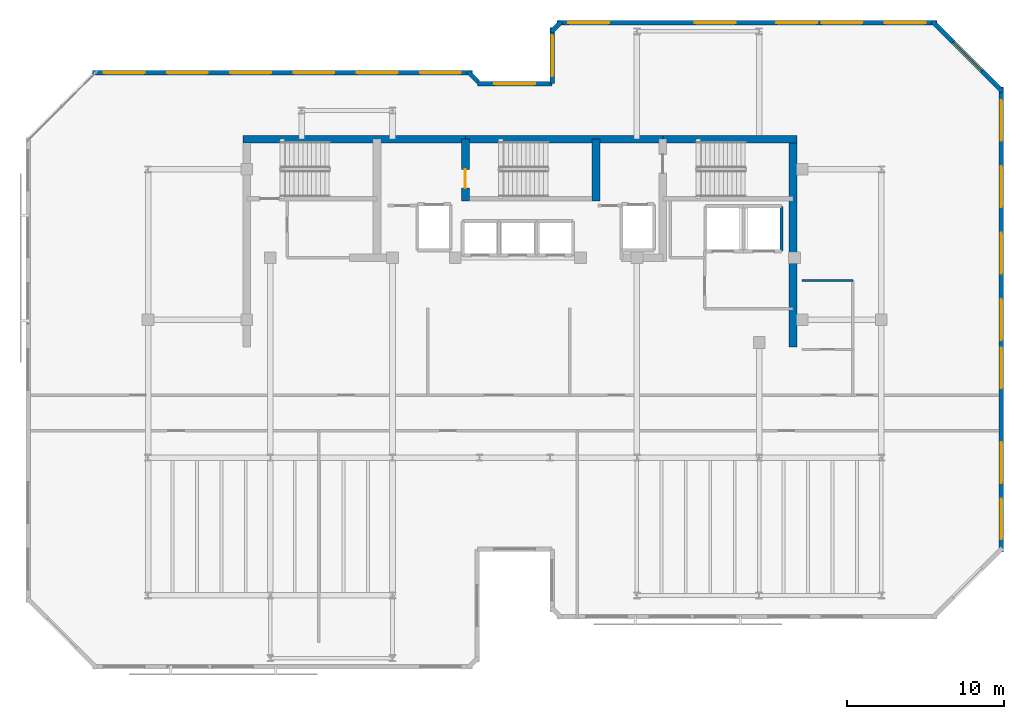
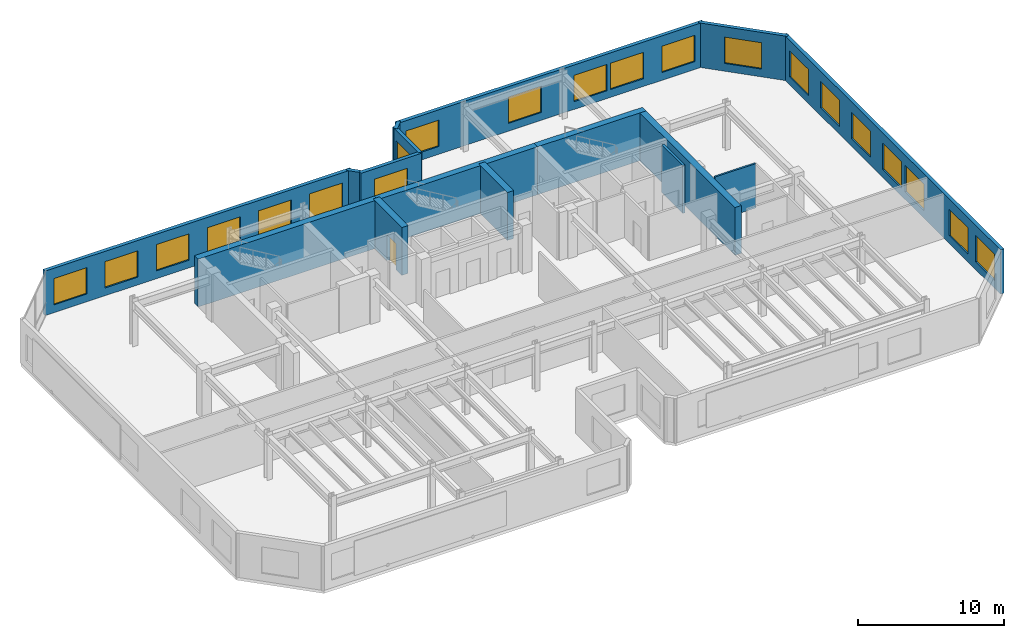
# One storey, part 6 of 9: 21 windows, 16 walls, 1 door, 22 openings.
"""IFC4 building model written with IfcOpenShell, lengths in metres."""

from ifc_helpers import new_model, si_unit, direction, frame, frame_2d, origin, place, context, subcontext, project, spatial, rectangle, extrude, material, layer, layer_set, type_object, element, fill, save


model = new_model("IFC4")

# Units and contexts
model_context = context("Model", 3, precision=1e-05, world=origin(), true_north=direction((0.0, 1.0)))
body_context = subcontext(model_context, "Body", "Model", "MODEL_VIEW")
ifc_project = project(units=[si_unit("LENGTHUNIT", "METRE"), si_unit("AREAUNIT", "SQUARE_METRE"), si_unit("VOLUMEUNIT", "CUBIC_METRE"), si_unit("PLANEANGLEUNIT", "RADIAN"), si_unit("MASSUNIT", "GRAM", prefix="KILO")], contexts=[model_context])

# Site, building, storey
site_placement = place(None, origin())
site = spatial("IfcSite", under=ifc_project, at=site_placement, CompositionType="ELEMENT")
building_placement = place(site_placement, origin())
building = spatial("IfcBuilding", under=site, at=building_placement, Name="Kestravale Grand Hotel", CompositionType="ELEMENT")
storey_placement = place(building_placement, frame((0.0, 0.0, 293.39990234375)))
storey = spatial("IfcBuildingStorey", under=building, at=storey_placement, Name="L73", CompositionType="ELEMENT", Elevation=293.39990234375)

# Walls
ifc_material_1 = material(Name="Concrete f'c 50 MPa", Category="concrete")
ifc_layer_1 = layer(ifc_material_1, 0.5)
ifc_layer_set_1 = layer_set([ifc_layer_1], Name="EW-CORE-500")
wall_type_1 = type_object("IfcWallType", Name="EW-CORE-500", PredefinedType="SHEAR", material=ifc_layer_set_1)
wall_1_placement = place(storey_placement, frame((21.64990234375, 40.320068359375, 0.0), z_axis=(0.0, 0.0, 1.0), x_axis=(1.0, 0.0, 0.0)))
element("IfcWall", 1, at=wall_1_placement, inside=storey, type_object=wall_type_1, Name="L73 core shear wall N1", PredefinedType="SHEAR", context=body_context, shape_type="SweptSolid", body=[
    extrude(rectangle(XDim=14.2001953125, YDim=0.5, at=frame_2d((7.10009765625, 0.0))), origin(), (0.0, 0.0, 1.0), 4.0),
])
wall_2_placement = place(storey_placement, frame((35.85009765625, 40.320068359375, 0.0), z_axis=(0.0, 0.0, 1.0), x_axis=(1.0, 0.0, 0.0)))
element("IfcWall", 2, at=wall_2_placement, inside=storey, type_object=wall_type_1, Name="L73 core shear wall N2", PredefinedType="SHEAR", context=body_context, shape_type="SweptSolid", body=[
    extrude(rectangle(XDim=12.599853515625, YDim=0.5, at=frame_2d((6.2998046875, 0.0))), origin(), (0.0, 0.0, 1.0), 4.0),
])
wall_3_placement = place(storey_placement, frame((48.449951171875, 40.320068359375, 0.0), z_axis=(0.0, 0.0, 1.0), x_axis=(1.0, 0.0, 0.0)))
element("IfcWall", 3, at=wall_3_placement, inside=storey, type_object=wall_type_1, Name="L73 core shear wall N3", PredefinedType="SHEAR", context=body_context, shape_type="SweptSolid", body=[
    extrude(rectangle(XDim=8.570068359375, YDim=0.5, at=frame_2d((4.28515625, 0.0))), origin(), (0.0, 0.0, 1.0), 4.0),
])
wall_4_placement = place(storey_placement, frame((56.77001953125, 27.050048828125, 0.0), z_axis=(0.0, 0.0, 1.0), x_axis=(0.0, 1.0, 0.0)))
element("IfcWall", 4, at=wall_4_placement, inside=storey, type_object=wall_type_1, Name="L73 core shear wall E1", PredefinedType="SHEAR", context=body_context, shape_type="SweptSolid", body=[
    extrude(rectangle(XDim=13.52001953125, YDim=0.5, at=frame_2d((6.760009765625, 0.0))), origin(), (0.0, 0.0, 1.0), 4.0),
])

# Wall, opening, door
wall_5_placement = place(storey_placement, frame((35.85009765625, 36.3701171875, 0.0), z_axis=(0.0, 0.0, 1.0), x_axis=(0.0, 1.0, 0.0)))
wall_5 = element("IfcWall", 5, at=wall_5_placement, inside=storey, type_object=wall_type_1, Name="L73 core shear wall X2", PredefinedType="SHEAR", context=body_context, shape_type="SweptSolid", body=[
    extrude(rectangle(XDim=3.949951171875, YDim=0.5, at=frame_2d((1.97509765625, 0.0))), origin(), (0.0, 0.0, 1.0), 4.0),
])
opening_1_placement = place(wall_5_placement, frame((0.830078125, 0.0, 0.0)))
opening_1 = element("IfcOpeningElement", 6, at=opening_1_placement, cuts=wall_5, Name="Opening D-ST-1200", PredefinedType="OPENING", context=body_context, shape_type="SweptSolid", body=[
    extrude(rectangle(XDim=1.199951171875, YDim=2.14990234375, at=frame_2d((0.60009765625, 1.074951171875))), frame((0.0, 0.260009765625, 0.0), z_axis=(0.0, -1.0, 0.0), x_axis=(1.0, 0.0, 0.0)), (0.0, 0.0, 1.0), 0.52001953125),
])
ifc_material_2 = material(Name="Galvanised 90-minute fire-rated steel stair door, wide leaf", Category="steel")
door_type = type_object("IfcDoorType", Name="D-ST-1200", OperationType="NOTDEFINED", PredefinedType="DOOR", material=ifc_material_2)
door_placement = place(opening_1_placement, origin())
door = element("IfcDoor", 7, at=door_placement, inside=storey, type_object=door_type, Name="L73 Stair ST-2 FSAE fire door", OperationType="SINGLE_SWING_RIGHT", OverallHeight=2.14990234375, OverallWidth=1.199951171875, PredefinedType="DOOR", context=body_context, shape_type="SweptSolid", body=[
    extrude(rectangle(XDim=1.199951171875, YDim=2.14990234375, at=frame_2d((0.60009765625, 1.074951171875))), frame((0.0, 0.02490234375, 0.0), z_axis=(0.0, -1.0, 0.0), x_axis=(1.0, 0.0, 0.0)), (0.0, 0.0, 1.0), 0.050048828125),
])
fill(opening_1, door)

# Wall
wall_6_placement = place(storey_placement, frame((44.179931640625, 36.3701171875, 0.0), z_axis=(0.0, 0.0, 1.0), x_axis=(0.0, 1.0, 0.0)))
element("IfcWall", 8, at=wall_6_placement, inside=storey, type_object=wall_type_1, Name="L73 core shear wall X3", PredefinedType="SHEAR", context=body_context, shape_type="SweptSolid", body=[
    extrude(rectangle(XDim=3.949951171875, YDim=0.5, at=frame_2d((1.97509765625, 0.0))), origin(), (0.0, 0.0, 1.0), 4.0),
])

# Wall, openings, windows
ifc_material_3 = material(Name="Precast concrete f'c 45 MPa", Category="concrete")
ifc_layer_2 = layer(ifc_material_3, 0.280029296875)
ifc_layer_set_2 = layer_set([ifc_layer_2], Name="EW-PREC-280")
wall_type_2 = type_object("IfcWallType", Name="EW-PREC-280", PredefinedType="SOLIDWALL", material=ifc_layer_set_2)
wall_7_placement = place(storey_placement, frame((70.06005859375, 13.9599609375, 0.0), z_axis=(0.0, 0.0, 1.0), x_axis=(0.0, 1.0, 0.0)))
wall_7 = element("IfcWall", 9, at=wall_7_placement, inside=storey, type_object=wall_type_2, Name="L73 fluted precast facade wall 9", PredefinedType="SOLIDWALL", context=body_context, shape_type="SweptSolid", body=[
    extrude(rectangle(XDim=29.679931640625, YDim=0.280029296875, at=frame_2d((14.83984375, 0.0))), origin(), (0.0, 0.0, 1.0), 3.710205078125),
])
opening_2_placement = place(wall_7_placement, frame((0.820068359375, 0.0, 0.64990234375)))
opening_2 = element("IfcOpeningElement", 10, at=opening_2_placement, cuts=wall_7, Name="Opening W-SKY-2600", PredefinedType="OPENING", context=body_context, shape_type="SweptSolid", body=[
    extrude(rectangle(XDim=2.60009765625, YDim=2.199951171875, at=frame_2d((1.300048828125, 1.10009765625))), frame((0.0, 0.14990234375, 0.0), z_axis=(0.0, -1.0, 0.0), x_axis=(1.0, 0.0, 0.0)), (0.0, 0.0, 1.0), 0.300048828125),
])
opening_3_placement = place(wall_7_placement, frame((4.409912109375, 0.0, 0.64990234375)))
opening_3 = element("IfcOpeningElement", 11, at=opening_3_placement, cuts=wall_7, Name="Opening W-SKY-2600", PredefinedType="OPENING", context=body_context, shape_type="SweptSolid", body=[
    extrude(rectangle(XDim=2.60009765625, YDim=2.199951171875, at=frame_2d((1.300048828125, 1.10009765625))), frame((0.0, 0.14990234375, 0.0), z_axis=(0.0, -1.0, 0.0), x_axis=(1.0, 0.0, 0.0)), (0.0, 0.0, 1.0), 0.300048828125),
])
opening_4_placement = place(wall_7_placement, frame((10.449951171875, 0.0, 0.64990234375)))
opening_4 = element("IfcOpeningElement", 12, at=opening_4_placement, cuts=wall_7, Name="Opening W-SKY-2600", PredefinedType="OPENING", context=body_context, shape_type="SweptSolid", body=[
    extrude(rectangle(XDim=2.60009765625, YDim=2.199951171875, at=frame_2d((1.300048828125, 1.10009765625))), frame((0.0, 0.14990234375, 0.0), z_axis=(0.0, -1.0, 0.0), x_axis=(1.0, 0.0, 0.0)), (0.0, 0.0, 1.0), 0.300048828125),
])
opening_5_placement = place(wall_7_placement, frame((13.5400390625, 0.0, 0.64990234375)))
opening_5 = element("IfcOpeningElement", 13, at=opening_5_placement, cuts=wall_7, Name="Opening W-SKY-2600", PredefinedType="OPENING", context=body_context, shape_type="SweptSolid", body=[
    extrude(rectangle(XDim=2.60009765625, YDim=2.199951171875, at=frame_2d((1.300048828125, 1.10009765625))), frame((0.0, 0.14990234375, 0.0), z_axis=(0.0, -1.0, 0.0), x_axis=(1.0, 0.0, 0.0)), (0.0, 0.0, 1.0), 0.300048828125),
])
opening_6_placement = place(wall_7_placement, frame((17.780029296875, 0.0, 0.64990234375)))
opening_6 = element("IfcOpeningElement", 14, at=opening_6_placement, cuts=wall_7, Name="Opening W-SKY-2600", PredefinedType="OPENING", context=body_context, shape_type="SweptSolid", body=[
    extrude(rectangle(XDim=2.60009765625, YDim=2.199951171875, at=frame_2d((1.300048828125, 1.10009765625))), frame((0.0, 0.14990234375, 0.0), z_axis=(0.0, -1.0, 0.0), x_axis=(1.0, 0.0, 0.0)), (0.0, 0.0, 1.0), 0.300048828125),
])
opening_7_placement = place(wall_7_placement, frame((22.02001953125, 0.0, 0.64990234375)))
opening_7 = element("IfcOpeningElement", 15, at=opening_7_placement, cuts=wall_7, Name="Opening W-SKY-2600", PredefinedType="OPENING", context=body_context, shape_type="SweptSolid", body=[
    extrude(rectangle(XDim=2.60009765625, YDim=2.199951171875, at=frame_2d((1.300048828125, 1.10009765625))), frame((0.0, 0.14990234375, 0.0), z_axis=(0.0, -1.0, 0.0), x_axis=(1.0, 0.0, 0.0)), (0.0, 0.0, 1.0), 0.300048828125),
])
opening_8_placement = place(wall_7_placement, frame((26.260009765625, 0.0, 0.64990234375)))
opening_8 = element("IfcOpeningElement", 16, at=opening_8_placement, cuts=wall_7, Name="Opening W-SKY-2600", PredefinedType="OPENING", context=body_context, shape_type="SweptSolid", body=[
    extrude(rectangle(XDim=2.60009765625, YDim=2.199951171875, at=frame_2d((1.300048828125, 1.10009765625))), frame((0.0, 0.14990234375, 0.0), z_axis=(0.0, -1.0, 0.0), x_axis=(1.0, 0.0, 0.0)), (0.0, 0.0, 1.0), 0.300048828125),
])
ifc_material_4 = material(Name="Insulated low-E double glazing in aluminium frame", Category="aluminium")
window_type = type_object("IfcWindowType", Name="W-SKY-2600", PartitioningType="TRIPLE_PANEL_VERTICAL", PredefinedType="WINDOW", material=ifc_material_4)
window_1_placement = place(opening_2_placement, origin())
window_1 = element("IfcWindow", 17, at=window_1_placement, inside=storey, type_object=window_type, Name="L73 exterior window 9.1", OverallHeight=2.199951171875, OverallWidth=2.60009765625, PartitioningType="SINGLE_PANEL", PredefinedType="WINDOW", context=body_context, shape_type="SweptSolid", body=[
    extrude(rectangle(XDim=2.60009765625, YDim=2.199951171875, at=frame_2d((1.300048828125, 1.10009765625))), frame((0.0, 0.030029296875, 0.0), z_axis=(0.0, -1.0, 0.0), x_axis=(1.0, 0.0, 0.0)), (0.0, 0.0, 1.0), 0.06005859375),
])
fill(opening_2, window_1)
window_2_placement = place(opening_3_placement, origin())
window_2 = element("IfcWindow", 18, at=window_2_placement, inside=storey, type_object=window_type, Name="L73 exterior window 9.2", OverallHeight=2.199951171875, OverallWidth=2.60009765625, PartitioningType="SINGLE_PANEL", PredefinedType="WINDOW", context=body_context, shape_type="SweptSolid", body=[
    extrude(rectangle(XDim=2.60009765625, YDim=2.199951171875, at=frame_2d((1.300048828125, 1.10009765625))), frame((0.0, 0.030029296875, 0.0), z_axis=(0.0, -1.0, 0.0), x_axis=(1.0, 0.0, 0.0)), (0.0, 0.0, 1.0), 0.06005859375),
])
fill(opening_3, window_2)
window_3_placement = place(opening_4_placement, origin())
window_3 = element("IfcWindow", 19, at=window_3_placement, inside=storey, type_object=window_type, Name="L73 exterior window 9.3", OverallHeight=2.199951171875, OverallWidth=2.60009765625, PartitioningType="SINGLE_PANEL", PredefinedType="WINDOW", context=body_context, shape_type="SweptSolid", body=[
    extrude(rectangle(XDim=2.60009765625, YDim=2.199951171875, at=frame_2d((1.300048828125, 1.10009765625))), frame((0.0, 0.030029296875, 0.0), z_axis=(0.0, -1.0, 0.0), x_axis=(1.0, 0.0, 0.0)), (0.0, 0.0, 1.0), 0.06005859375),
])
fill(opening_4, window_3)
window_4_placement = place(opening_5_placement, origin())
window_4 = element("IfcWindow", 20, at=window_4_placement, inside=storey, type_object=window_type, Name="L73 exterior window 9.4", OverallHeight=2.199951171875, OverallWidth=2.60009765625, PartitioningType="SINGLE_PANEL", PredefinedType="WINDOW", context=body_context, shape_type="SweptSolid", body=[
    extrude(rectangle(XDim=2.60009765625, YDim=2.199951171875, at=frame_2d((1.300048828125, 1.10009765625))), frame((0.0, 0.030029296875, 0.0), z_axis=(0.0, -1.0, 0.0), x_axis=(1.0, 0.0, 0.0)), (0.0, 0.0, 1.0), 0.06005859375),
])
fill(opening_5, window_4)
window_5_placement = place(opening_6_placement, origin())
window_5 = element("IfcWindow", 21, at=window_5_placement, inside=storey, type_object=window_type, Name="L73 exterior window 9.5", OverallHeight=2.199951171875, OverallWidth=2.60009765625, PartitioningType="SINGLE_PANEL", PredefinedType="WINDOW", context=body_context, shape_type="SweptSolid", body=[
    extrude(rectangle(XDim=2.60009765625, YDim=2.199951171875, at=frame_2d((1.300048828125, 1.10009765625))), frame((0.0, 0.030029296875, 0.0), z_axis=(0.0, -1.0, 0.0), x_axis=(1.0, 0.0, 0.0)), (0.0, 0.0, 1.0), 0.06005859375),
])
fill(opening_6, window_5)
window_6_placement = place(opening_7_placement, origin())
window_6 = element("IfcWindow", 22, at=window_6_placement, inside=storey, type_object=window_type, Name="L73 exterior window 9.6", OverallHeight=2.199951171875, OverallWidth=2.60009765625, PartitioningType="SINGLE_PANEL", PredefinedType="WINDOW", context=body_context, shape_type="SweptSolid", body=[
    extrude(rectangle(XDim=2.60009765625, YDim=2.199951171875, at=frame_2d((1.300048828125, 1.10009765625))), frame((0.0, 0.030029296875, 0.0), z_axis=(0.0, -1.0, 0.0), x_axis=(1.0, 0.0, 0.0)), (0.0, 0.0, 1.0), 0.06005859375),
])
fill(opening_7, window_6)
window_7_placement = place(opening_8_placement, origin())
window_7 = element("IfcWindow", 23, at=window_7_placement, inside=storey, type_object=window_type, Name="L73 exterior window 9.7", OverallHeight=2.199951171875, OverallWidth=2.60009765625, PartitioningType="SINGLE_PANEL", PredefinedType="WINDOW", context=body_context, shape_type="SweptSolid", body=[
    extrude(rectangle(XDim=2.60009765625, YDim=2.199951171875, at=frame_2d((1.300048828125, 1.10009765625))), frame((0.0, 0.030029296875, 0.0), z_axis=(0.0, -1.0, 0.0), x_axis=(1.0, 0.0, 0.0)), (0.0, 0.0, 1.0), 0.06005859375),
])
fill(opening_8, window_7)

# Wall, opening, window
wall_8_placement = place(storey_placement, frame((70.12939453125, 43.372802734375, 0.0), z_axis=(0.0, 0.0, 1.0), x_axis=(-0.707126148934, 0.707087412908, 0.0)))
wall_8 = element("IfcWall", 24, at=wall_8_placement, inside=storey, type_object=wall_type_2, Name="L73 fluted precast facade wall 10", PredefinedType="SOLIDWALL", context=body_context, shape_type="SweptSolid", body=[
    extrude(rectangle(XDim=6.302734375, YDim=0.280029296875, at=frame_2d((3.1513671875, 0.0))), origin(), (0.0, 0.0, 1.0), 3.710205078125),
])
opening_9_placement = place(wall_8_placement, frame((1.851318359375, 0.0, 0.64990234375)))
opening_9 = element("IfcOpeningElement", 25, at=opening_9_placement, cuts=wall_8, Name="Opening W-SKY-2600", PredefinedType="OPENING", context=body_context, shape_type="SweptSolid", body=[
    extrude(rectangle(XDim=2.60009765625, YDim=2.199951171875, at=frame_2d((1.300048828125, 1.10009765625))), frame((0.0, 0.14990234375, 0.0), z_axis=(0.0, -1.0, 0.0), x_axis=(1.0, 0.0, 0.0)), (0.0, 0.0, 1.0), 0.300048828125),
])
window_8_placement = place(opening_9_placement, origin())
window_8 = element("IfcWindow", 26, at=window_8_placement, inside=storey, type_object=window_type, Name="L73 exterior window 10.1", OverallHeight=2.199951171875, OverallWidth=2.60009765625, PartitioningType="SINGLE_PANEL", PredefinedType="WINDOW", context=body_context, shape_type="SweptSolid", body=[
    extrude(rectangle(XDim=2.60009765625, YDim=2.199951171875, at=frame_2d((1.300048828125, 1.10009765625))), frame((0.0, 0.030029296875, 0.0), z_axis=(0.0, -1.0, 0.0), x_axis=(1.0, 0.0, 0.0)), (0.0, 0.0, 1.0), 0.06005859375),
])
fill(opening_9, window_8)

# Wall, openings, windows
wall_9_placement = place(storey_placement, frame((65.93994140625, 47.760009765625, 0.0), z_axis=(0.0, 0.0, 1.0), x_axis=(-1.0, 0.0, 0.0)))
wall_9 = element("IfcWall", 27, at=wall_9_placement, inside=storey, type_object=wall_type_2, Name="L73 fluted precast facade wall 11", PredefinedType="SOLIDWALL", context=body_context, shape_type="SweptSolid", body=[
    extrude(rectangle(XDim=24.22998046875, YDim=0.280029296875, at=frame_2d((12.114990234375, 0.0))), origin(), (0.0, 0.0, 1.0), 3.710205078125),
])
opening_10_placement = place(wall_9_placement, frame((0.71923828125, 0.0, 0.64990234375)))
opening_10 = element("IfcOpeningElement", 28, at=opening_10_placement, cuts=wall_9, Name="Opening W-SKY-2600", PredefinedType="OPENING", context=body_context, shape_type="SweptSolid", body=[
    extrude(rectangle(XDim=2.60009765625, YDim=2.199951171875, at=frame_2d((1.300048828125, 1.10009765625))), frame((0.0, 0.14990234375, 0.0), z_axis=(0.0, -1.0, 0.0), x_axis=(1.0, 0.0, 0.0)), (0.0, 0.0, 1.0), 0.300048828125),
])
opening_11_placement = place(wall_9_placement, frame((4.757568359375, 0.0, 0.64990234375)))
opening_11 = element("IfcOpeningElement", 29, at=opening_11_placement, cuts=wall_9, Name="Opening W-SKY-2600", PredefinedType="OPENING", context=body_context, shape_type="SweptSolid", body=[
    extrude(rectangle(XDim=2.60009765625, YDim=2.199951171875, at=frame_2d((1.300048828125, 1.10009765625))), frame((0.0, 0.14990234375, 0.0), z_axis=(0.0, -1.0, 0.0), x_axis=(1.0, 0.0, 0.0)), (0.0, 0.0, 1.0), 0.300048828125),
])
opening_12_placement = place(wall_9_placement, frame((7.645751953125, 0.0, 0.64990234375)))
opening_12 = element("IfcOpeningElement", 30, at=opening_12_placement, cuts=wall_9, Name="Opening W-SKY-2600", PredefinedType="OPENING", context=body_context, shape_type="SweptSolid", body=[
    extrude(rectangle(XDim=2.60009765625, YDim=2.199951171875, at=frame_2d((1.300048828125, 1.10009765625))), frame((0.0, 0.14990234375, 0.0), z_axis=(0.0, -1.0, 0.0), x_axis=(1.0, 0.0, 0.0)), (0.0, 0.0, 1.0), 0.300048828125),
])
opening_13_placement = place(wall_9_placement, frame((12.834228515625, 0.0, 0.64990234375)))
opening_13 = element("IfcOpeningElement", 31, at=opening_13_placement, cuts=wall_9, Name="Opening W-SKY-2600", PredefinedType="OPENING", context=body_context, shape_type="SweptSolid", body=[
    extrude(rectangle(XDim=2.60009765625, YDim=2.199951171875, at=frame_2d((1.300048828125, 1.10009765625))), frame((0.0, 0.14990234375, 0.0), z_axis=(0.0, -1.0, 0.0), x_axis=(1.0, 0.0, 0.0)), (0.0, 0.0, 1.0), 0.300048828125),
])
opening_14_placement = place(wall_9_placement, frame((20.910888671875, 0.0, 0.64990234375)))
opening_14 = element("IfcOpeningElement", 32, at=opening_14_placement, cuts=wall_9, Name="Opening W-SKY-2600", PredefinedType="OPENING", context=body_context, shape_type="SweptSolid", body=[
    extrude(rectangle(XDim=2.60009765625, YDim=2.199951171875, at=frame_2d((1.300048828125, 1.10009765625))), frame((0.0, 0.14990234375, 0.0), z_axis=(0.0, -1.0, 0.0), x_axis=(1.0, 0.0, 0.0)), (0.0, 0.0, 1.0), 0.300048828125),
])
window_9_placement = place(opening_10_placement, origin())
window_9 = element("IfcWindow", 33, at=window_9_placement, inside=storey, type_object=window_type, Name="L73 exterior window 11.1", OverallHeight=2.199951171875, OverallWidth=2.60009765625, PartitioningType="SINGLE_PANEL", PredefinedType="WINDOW", context=body_context, shape_type="SweptSolid", body=[
    extrude(rectangle(XDim=2.60009765625, YDim=2.199951171875, at=frame_2d((1.300048828125, 1.10009765625))), frame((0.0, 0.030029296875, 0.0), z_axis=(0.0, -1.0, 0.0), x_axis=(1.0, 0.0, 0.0)), (0.0, 0.0, 1.0), 0.06005859375),
])
fill(opening_10, window_9)
window_10_placement = place(opening_11_placement, origin())
window_10 = element("IfcWindow", 34, at=window_10_placement, inside=storey, type_object=window_type, Name="L73 exterior window 11.2", OverallHeight=2.199951171875, OverallWidth=2.60009765625, PartitioningType="SINGLE_PANEL", PredefinedType="WINDOW", context=body_context, shape_type="SweptSolid", body=[
    extrude(rectangle(XDim=2.60009765625, YDim=2.199951171875, at=frame_2d((1.300048828125, 1.10009765625))), frame((0.0, 0.030029296875, 0.0), z_axis=(0.0, -1.0, 0.0), x_axis=(1.0, 0.0, 0.0)), (0.0, 0.0, 1.0), 0.06005859375),
])
fill(opening_11, window_10)
window_11_placement = place(opening_12_placement, origin())
window_11 = element("IfcWindow", 35, at=window_11_placement, inside=storey, type_object=window_type, Name="L73 exterior window 11.3", OverallHeight=2.199951171875, OverallWidth=2.60009765625, PartitioningType="SINGLE_PANEL", PredefinedType="WINDOW", context=body_context, shape_type="SweptSolid", body=[
    extrude(rectangle(XDim=2.60009765625, YDim=2.199951171875, at=frame_2d((1.300048828125, 1.10009765625))), frame((0.0, 0.030029296875, 0.0), z_axis=(0.0, -1.0, 0.0), x_axis=(1.0, 0.0, 0.0)), (0.0, 0.0, 1.0), 0.06005859375),
])
fill(opening_12, window_11)
window_12_placement = place(opening_13_placement, origin())
window_12 = element("IfcWindow", 36, at=window_12_placement, inside=storey, type_object=window_type, Name="L73 exterior window 11.4", OverallHeight=2.199951171875, OverallWidth=2.60009765625, PartitioningType="SINGLE_PANEL", PredefinedType="WINDOW", context=body_context, shape_type="SweptSolid", body=[
    extrude(rectangle(XDim=2.60009765625, YDim=2.199951171875, at=frame_2d((1.300048828125, 1.10009765625))), frame((0.0, 0.030029296875, 0.0), z_axis=(0.0, -1.0, 0.0), x_axis=(1.0, 0.0, 0.0)), (0.0, 0.0, 1.0), 0.06005859375),
])
fill(opening_13, window_12)
window_13_placement = place(opening_14_placement, origin())
window_13 = element("IfcWindow", 37, at=window_13_placement, inside=storey, type_object=window_type, Name="L73 exterior window 11.5", OverallHeight=2.199951171875, OverallWidth=2.60009765625, PartitioningType="SINGLE_PANEL", PredefinedType="WINDOW", context=body_context, shape_type="SweptSolid", body=[
    extrude(rectangle(XDim=2.60009765625, YDim=2.199951171875, at=frame_2d((1.300048828125, 1.10009765625))), frame((0.0, 0.030029296875, 0.0), z_axis=(0.0, -1.0, 0.0), x_axis=(1.0, 0.0, 0.0)), (0.0, 0.0, 1.0), 0.06005859375),
])
fill(opening_14, window_13)

# Wall
wall_10_placement = place(storey_placement, frame((41.977294921875, 47.829345703125, 0.0), z_axis=(0.0, 0.0, 1.0), x_axis=(-0.706975312048, -0.707238225886, 0.0)))
element("IfcWall", 38, at=wall_10_placement, inside=storey, type_object=wall_type_2, Name="L73 fluted precast facade wall 12", PredefinedType="SOLIDWALL", context=body_context, shape_type="SweptSolid", body=[
    extrude(rectangle(XDim=0.9287109375, YDim=0.280029296875, at=frame_2d((0.46435546875, 0.0))), origin(), (0.0, 0.0, 1.0), 3.710205078125),
])

# Wall, opening, window
wall_11_placement = place(storey_placement, frame((41.389892578125, 47.43994140625, 0.0), z_axis=(0.0, 0.0, 1.0), x_axis=(0.0, -1.0, 0.0)))
wall_11 = element("IfcWall", 39, at=wall_11_placement, inside=storey, type_object=wall_type_2, Name="L73 fluted precast facade wall 13", PredefinedType="SOLIDWALL", context=body_context, shape_type="SweptSolid", body=[
    extrude(rectangle(XDim=3.579833984375, YDim=0.280029296875, at=frame_2d((1.7900390625, 0.0))), origin(), (0.0, 0.0, 1.0), 3.710205078125),
])
opening_15_placement = place(wall_11_placement, frame((0.489990234375, 0.0, 0.64990234375)))
opening_15 = element("IfcOpeningElement", 40, at=opening_15_placement, cuts=wall_11, Name="Opening W-SKY-2600", PredefinedType="OPENING", context=body_context, shape_type="SweptSolid", body=[
    extrude(rectangle(XDim=2.60009765625, YDim=2.199951171875, at=frame_2d((1.300048828125, 1.10009765625))), frame((0.0, 0.14990234375, 0.0), z_axis=(0.0, -1.0, 0.0), x_axis=(1.0, 0.0, 0.0)), (0.0, 0.0, 1.0), 0.300048828125),
])
window_14_placement = place(opening_15_placement, origin())
window_14 = element("IfcWindow", 41, at=window_14_placement, inside=storey, type_object=window_type, Name="L73 exterior window 13.1", OverallHeight=2.199951171875, OverallWidth=2.60009765625, PartitioningType="SINGLE_PANEL", PredefinedType="WINDOW", context=body_context, shape_type="SweptSolid", body=[
    extrude(rectangle(XDim=2.60009765625, YDim=2.199951171875, at=frame_2d((1.300048828125, 1.10009765625))), frame((0.0, 0.030029296875, 0.0), z_axis=(0.0, -1.0, 0.0), x_axis=(1.0, 0.0, 0.0)), (0.0, 0.0, 1.0), 0.06005859375),
])
fill(opening_15, window_14)

wall_12_placement = place(storey_placement, frame((41.389892578125, 43.860107421875, 0.0), z_axis=(0.0, 0.0, 1.0), x_axis=(-1.0, 0.0, 0.0)))
wall_12 = element("IfcWall", 42, at=wall_12_placement, inside=storey, type_object=wall_type_2, Name="L73 fluted precast facade wall 14", PredefinedType="SOLIDWALL", context=body_context, shape_type="SweptSolid", body=[
    extrude(rectangle(XDim=4.77978515625, YDim=0.280029296875, at=frame_2d((2.389892578125, 0.0))), origin(), (0.0, 0.0, 1.0), 3.710205078125),
])
opening_16_placement = place(wall_12_placement, frame((1.090087890625, 0.0, 0.64990234375)))
opening_16 = element("IfcOpeningElement", 43, at=opening_16_placement, cuts=wall_12, Name="Opening W-SKY-2600", PredefinedType="OPENING", context=body_context, shape_type="SweptSolid", body=[
    extrude(rectangle(XDim=2.60009765625, YDim=2.199951171875, at=frame_2d((1.300048828125, 1.10009765625))), frame((0.0, 0.14990234375, 0.0), z_axis=(0.0, -1.0, 0.0), x_axis=(1.0, 0.0, 0.0)), (0.0, 0.0, 1.0), 0.300048828125),
])
window_15_placement = place(opening_16_placement, origin())
window_15 = element("IfcWindow", 44, at=window_15_placement, inside=storey, type_object=window_type, Name="L73 exterior window 14.1", OverallHeight=2.199951171875, OverallWidth=2.60009765625, PartitioningType="SINGLE_PANEL", PredefinedType="WINDOW", context=body_context, shape_type="SweptSolid", body=[
    extrude(rectangle(XDim=2.60009765625, YDim=2.199951171875, at=frame_2d((1.300048828125, 1.10009765625))), frame((0.0, 0.030029296875, 0.0), z_axis=(0.0, -1.0, 0.0), x_axis=(1.0, 0.0, 0.0)), (0.0, 0.0, 1.0), 0.06005859375),
])
fill(opening_16, window_15)

# Wall
wall_13_placement = place(storey_placement, frame((36.67919921875, 43.97265625, 0.0), z_axis=(0.0, 0.0, 1.0), x_axis=(-0.706975312048, 0.707238225886, 0.0)))
element("IfcWall", 45, at=wall_13_placement, inside=storey, type_object=wall_type_2, Name="L73 fluted precast facade wall 16", PredefinedType="SOLIDWALL", context=body_context, shape_type="SweptSolid", body=[
    extrude(rectangle(XDim=0.9287109375, YDim=0.280029296875, at=frame_2d((0.46435546875, 0.0))), origin(), (0.0, 0.0, 1.0), 3.710205078125),
])

# Wall, openings, windows
wall_14_placement = place(storey_placement, frame((36.2900390625, 44.56005859375, 0.0), z_axis=(0.0, 0.0, 1.0), x_axis=(-1.0, 0.0, 0.0)))
wall_14 = element("IfcWall", 46, at=wall_14_placement, inside=storey, type_object=wall_type_2, Name="L73 fluted precast facade wall 17", PredefinedType="SOLIDWALL", context=body_context, shape_type="SweptSolid", body=[
    extrude(rectangle(XDim=24.22998046875, YDim=0.280029296875, at=frame_2d((12.114990234375, 0.0))), origin(), (0.0, 0.0, 1.0), 3.710205078125),
])
opening_17_placement = place(wall_14_placement, frame((0.71923828125, 0.0, 0.64990234375)))
opening_17 = element("IfcOpeningElement", 47, at=opening_17_placement, cuts=wall_14, Name="Opening W-SKY-2600", PredefinedType="OPENING", context=body_context, shape_type="SweptSolid", body=[
    extrude(rectangle(XDim=2.60009765625, YDim=2.199951171875, at=frame_2d((1.300048828125, 1.10009765625))), frame((0.0, 0.14990234375, 0.0), z_axis=(0.0, -1.0, 0.0), x_axis=(1.0, 0.0, 0.0)), (0.0, 0.0, 1.0), 0.300048828125),
])
opening_18_placement = place(wall_14_placement, frame((4.757568359375, 0.0, 0.64990234375)))
opening_18 = element("IfcOpeningElement", 48, at=opening_18_placement, cuts=wall_14, Name="Opening W-SKY-2600", PredefinedType="OPENING", context=body_context, shape_type="SweptSolid", body=[
    extrude(rectangle(XDim=2.60009765625, YDim=2.199951171875, at=frame_2d((1.300048828125, 1.10009765625))), frame((0.0, 0.14990234375, 0.0), z_axis=(0.0, -1.0, 0.0), x_axis=(1.0, 0.0, 0.0)), (0.0, 0.0, 1.0), 0.300048828125),
])
opening_19_placement = place(wall_14_placement, frame((8.7958984375, 0.0, 0.64990234375)))
opening_19 = element("IfcOpeningElement", 49, at=opening_19_placement, cuts=wall_14, Name="Opening W-SKY-2600", PredefinedType="OPENING", context=body_context, shape_type="SweptSolid", body=[
    extrude(rectangle(XDim=2.60009765625, YDim=2.199951171875, at=frame_2d((1.300048828125, 1.10009765625))), frame((0.0, 0.14990234375, 0.0), z_axis=(0.0, -1.0, 0.0), x_axis=(1.0, 0.0, 0.0)), (0.0, 0.0, 1.0), 0.300048828125),
])
opening_20_placement = place(wall_14_placement, frame((12.834228515625, 0.0, 0.64990234375)))
opening_20 = element("IfcOpeningElement", 50, at=opening_20_placement, cuts=wall_14, Name="Opening W-SKY-2600", PredefinedType="OPENING", context=body_context, shape_type="SweptSolid", body=[
    extrude(rectangle(XDim=2.60009765625, YDim=2.199951171875, at=frame_2d((1.300048828125, 1.10009765625))), frame((0.0, 0.14990234375, 0.0), z_axis=(0.0, -1.0, 0.0), x_axis=(1.0, 0.0, 0.0)), (0.0, 0.0, 1.0), 0.300048828125),
])
opening_21_placement = place(wall_14_placement, frame((16.87255859375, 0.0, 0.64990234375)))
opening_21 = element("IfcOpeningElement", 51, at=opening_21_placement, cuts=wall_14, Name="Opening W-SKY-2600", PredefinedType="OPENING", context=body_context, shape_type="SweptSolid", body=[
    extrude(rectangle(XDim=2.60009765625, YDim=2.199951171875, at=frame_2d((1.300048828125, 1.10009765625))), frame((0.0, 0.14990234375, 0.0), z_axis=(0.0, -1.0, 0.0), x_axis=(1.0, 0.0, 0.0)), (0.0, 0.0, 1.0), 0.300048828125),
])
opening_22_placement = place(wall_14_placement, frame((20.910888671875, 0.0, 0.64990234375)))
opening_22 = element("IfcOpeningElement", 52, at=opening_22_placement, cuts=wall_14, Name="Opening W-SKY-2600", PredefinedType="OPENING", context=body_context, shape_type="SweptSolid", body=[
    extrude(rectangle(XDim=2.60009765625, YDim=2.199951171875, at=frame_2d((1.300048828125, 1.10009765625))), frame((0.0, 0.14990234375, 0.0), z_axis=(0.0, -1.0, 0.0), x_axis=(1.0, 0.0, 0.0)), (0.0, 0.0, 1.0), 0.300048828125),
])
window_16_placement = place(opening_17_placement, origin())
window_16 = element("IfcWindow", 53, at=window_16_placement, inside=storey, type_object=window_type, Name="L73 exterior window 17.1", OverallHeight=2.199951171875, OverallWidth=2.60009765625, PartitioningType="SINGLE_PANEL", PredefinedType="WINDOW", context=body_context, shape_type="SweptSolid", body=[
    extrude(rectangle(XDim=2.60009765625, YDim=2.199951171875, at=frame_2d((1.300048828125, 1.10009765625))), frame((0.0, 0.030029296875, 0.0), z_axis=(0.0, -1.0, 0.0), x_axis=(1.0, 0.0, 0.0)), (0.0, 0.0, 1.0), 0.06005859375),
])
fill(opening_17, window_16)
window_17_placement = place(opening_18_placement, origin())
window_17 = element("IfcWindow", 54, at=window_17_placement, inside=storey, type_object=window_type, Name="L73 exterior window 17.2", OverallHeight=2.199951171875, OverallWidth=2.60009765625, PartitioningType="SINGLE_PANEL", PredefinedType="WINDOW", context=body_context, shape_type="SweptSolid", body=[
    extrude(rectangle(XDim=2.60009765625, YDim=2.199951171875, at=frame_2d((1.300048828125, 1.10009765625))), frame((0.0, 0.030029296875, 0.0), z_axis=(0.0, -1.0, 0.0), x_axis=(1.0, 0.0, 0.0)), (0.0, 0.0, 1.0), 0.06005859375),
])
fill(opening_18, window_17)
window_18_placement = place(opening_19_placement, origin())
window_18 = element("IfcWindow", 55, at=window_18_placement, inside=storey, type_object=window_type, Name="L73 exterior window 17.3", OverallHeight=2.199951171875, OverallWidth=2.60009765625, PartitioningType="SINGLE_PANEL", PredefinedType="WINDOW", context=body_context, shape_type="SweptSolid", body=[
    extrude(rectangle(XDim=2.60009765625, YDim=2.199951171875, at=frame_2d((1.300048828125, 1.10009765625))), frame((0.0, 0.030029296875, 0.0), z_axis=(0.0, -1.0, 0.0), x_axis=(1.0, 0.0, 0.0)), (0.0, 0.0, 1.0), 0.06005859375),
])
fill(opening_19, window_18)
window_19_placement = place(opening_20_placement, origin())
window_19 = element("IfcWindow", 56, at=window_19_placement, inside=storey, type_object=window_type, Name="L73 exterior window 17.4", OverallHeight=2.199951171875, OverallWidth=2.60009765625, PartitioningType="SINGLE_PANEL", PredefinedType="WINDOW", context=body_context, shape_type="SweptSolid", body=[
    extrude(rectangle(XDim=2.60009765625, YDim=2.199951171875, at=frame_2d((1.300048828125, 1.10009765625))), frame((0.0, 0.030029296875, 0.0), z_axis=(0.0, -1.0, 0.0), x_axis=(1.0, 0.0, 0.0)), (0.0, 0.0, 1.0), 0.06005859375),
])
fill(opening_20, window_19)
window_20_placement = place(opening_21_placement, origin())
window_20 = element("IfcWindow", 57, at=window_20_placement, inside=storey, type_object=window_type, Name="L73 exterior window 17.5", OverallHeight=2.199951171875, OverallWidth=2.60009765625, PartitioningType="SINGLE_PANEL", PredefinedType="WINDOW", context=body_context, shape_type="SweptSolid", body=[
    extrude(rectangle(XDim=2.60009765625, YDim=2.199951171875, at=frame_2d((1.300048828125, 1.10009765625))), frame((0.0, 0.030029296875, 0.0), z_axis=(0.0, -1.0, 0.0), x_axis=(1.0, 0.0, 0.0)), (0.0, 0.0, 1.0), 0.06005859375),
])
fill(opening_21, window_20)
window_21_placement = place(opening_22_placement, origin())
window_21 = element("IfcWindow", 58, at=window_21_placement, inside=storey, type_object=window_type, Name="L73 exterior window 17.6", OverallHeight=2.199951171875, OverallWidth=2.60009765625, PartitioningType="SINGLE_PANEL", PredefinedType="WINDOW", context=body_context, shape_type="SweptSolid", body=[
    extrude(rectangle(XDim=2.60009765625, YDim=2.199951171875, at=frame_2d((1.300048828125, 1.10009765625))), frame((0.0, 0.030029296875, 0.0), z_axis=(0.0, -1.0, 0.0), x_axis=(1.0, 0.0, 0.0)), (0.0, 0.0, 1.0), 0.06005859375),
])
fill(opening_22, window_21)

# Walls
ifc_material_5 = material(Name="Moisture-resistant tile-backer plumbing chase wall", Category="other")
ifc_layer_3 = layer(ifc_material_5, 0.139892578125)
ifc_layer_set_3 = layer_set([ifc_layer_3], Name="IW-PLB-140")
wall_type_3 = type_object("IfcWallType", Name="IW-PLB-140", PredefinedType="PLUMBINGWALL", material=ifc_layer_set_3)
wall_15_placement = place(storey_placement, frame((57.35009765625, 31.300048828125, 0.0), z_axis=(0.0, 0.0, 1.0), x_axis=(1.0, 0.0, 0.0)))
element("IfcWall", 59, at=wall_15_placement, inside=storey, type_object=wall_type_3, Name="W-L73-NE2", PredefinedType="PLUMBINGWALL", context=body_context, shape_type="SweptSolid", body=[
    extrude(rectangle(XDim=3.22998046875, YDim=0.139892578125, at=frame_2d((1.614990234375, 0.0))), origin(), (0.0, 0.0, 1.0), 3.710205078125),
])
ifc_material_6 = material(Name="Concrete f'c 45 MPa", Category="concrete")
ifc_layer_4 = layer(ifc_material_6, 0.199951171875)
ifc_layer_set_4 = layer_set([ifc_layer_4], Name="IW-SHAFT-200")
wall_type_4 = type_object("IfcWallType", Name="IW-SHAFT-200", PredefinedType="SHEAR", material=ifc_layer_set_4)
wall_16_placement = place(storey_placement, frame((56.02001953125, 33.169921875, 0.0), z_axis=(0.0, 0.0, 1.0), x_axis=(0.0, 1.0, 0.0)))
element("IfcWall", 60, at=wall_16_placement, inside=storey, type_object=wall_type_4, Name="L73 SL-2 east shaft wall", PredefinedType="SHEAR", context=body_context, shape_type="SweptSolid", body=[
    extrude(rectangle(XDim=2.860107421875, YDim=0.199951171875, at=frame_2d((1.43017578125, 0.0))), origin(), (0.0, 0.0, 1.0), 4.0),
])

save(model, "model.ifc")
